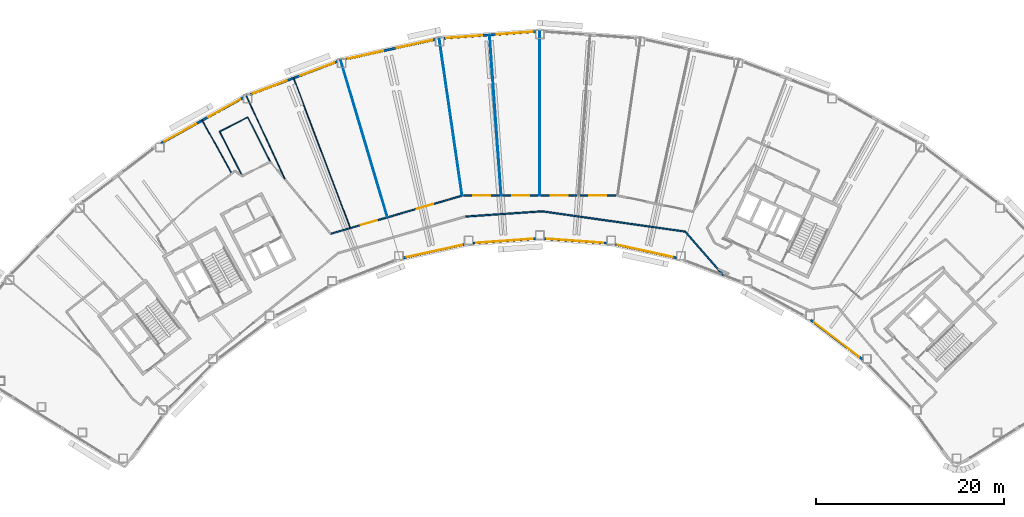
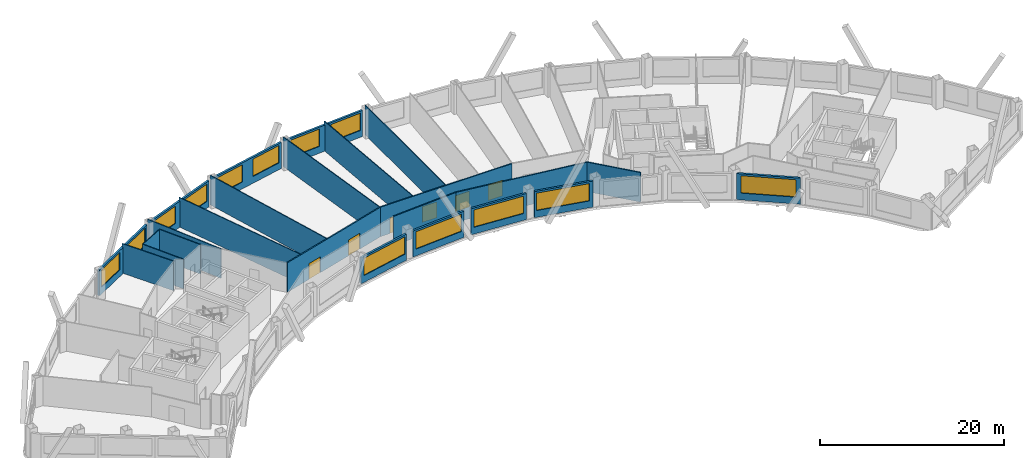
# One storey, part 7 of 14: 24 walls, 13 windows, 6 doors, 19 openings.
"""IFC4 building model written with IfcOpenShell, lengths in metres."""

from ifc_helpers import new_model, si_unit, direction, frame, frame_2d, origin, place, context, subcontext, project, spatial, rectangle, extrude, material, layer, layer_set, type_object, element, fill, save


model = new_model("IFC4")

# Units and contexts
model_context = context("Model", 3, precision=1e-05, world=origin(), true_north=direction((0.0, 1.0)))
body_context = subcontext(model_context, "Body", "Model", "MODEL_VIEW")
ifc_project = project(units=[si_unit("LENGTHUNIT", "METRE"), si_unit("AREAUNIT", "SQUARE_METRE"), si_unit("VOLUMEUNIT", "CUBIC_METRE"), si_unit("PLANEANGLEUNIT", "RADIAN"), si_unit("MASSUNIT", "GRAM", prefix="KILO")], contexts=[model_context])

# Site, building, storey
site_placement = place(None, origin())
site = spatial("IfcSite", under=ifc_project, at=site_placement, CompositionType="ELEMENT")
building_placement = place(site_placement, origin())
building = spatial("IfcBuilding", under=site, at=building_placement, Name="Tuul Gate Civic Tower", CompositionType="ELEMENT")
storey_placement = place(building_placement, frame((0.0, 0.0, 209.5)))
storey = spatial("IfcBuildingStorey", under=building, at=storey_placement, Name="Level 47", CompositionType="ELEMENT", Elevation=209.5)

# Wall, openings, doors
ifc_material_1 = material(Name="Gypsum board partition")
ifc_layer_1 = layer(ifc_material_1, 0.14990234375)
ifc_layer_set_1 = layer_set([ifc_layer_1], Name="Gypsum board partition")
wall_type_1 = type_object("IfcWallType", Name="Corridor wall P150", PredefinedType="PARTITIONING", material=ifc_layer_set_1)
wall_1_placement = place(storey_placement, frame((-2.283203125, 1.4267578125, 0.0), z_axis=(0.0, 0.0, 1.0), x_axis=(1.0, 0.0, 0.0)))
wall_1 = element("IfcWall", 1, at=wall_1_placement, inside=storey, type_object=wall_type_1, Name="p031", PredefinedType="PARTITIONING", context=body_context, shape_type="SweptSolid", body=[
    extrude(rectangle(XDim=16.4423828125, YDim=0.14990234375, at=frame_2d((8.22119140625, 0.0))), origin(), (0.0, 0.0, 1.0), 3.89990234375),
])
opening_1_placement = place(wall_1_placement, frame((13.48828125, 0.0, 0.0)))
opening_1 = element("IfcOpeningElement", 2, at=opening_1_placement, cuts=wall_1, Name="Opening Q-D09", PredefinedType="OPENING", context=body_context, shape_type="SweptSolid", body=[
    extrude(rectangle(XDim=1.800048828125, YDim=2.10009765625, at=frame_2d((0.89990234375, 1.050048828125))), frame((0.0, 0.0849609375, 0.0), z_axis=(0.0, -1.0, 0.0), x_axis=(1.0, 0.0, 0.0)), (0.0, 0.0, 1.0), 0.169921875),
])
opening_2_placement = place(wall_1_placement, frame((9.378662109375, 0.0, 0.0)))
opening_2 = element("IfcOpeningElement", 3, at=opening_2_placement, cuts=wall_1, Name="Opening Q-D10", PredefinedType="OPENING", context=body_context, shape_type="SweptSolid", body=[
    extrude(rectangle(XDim=1.800048828125, YDim=2.10009765625, at=frame_2d((0.89990234375, 1.050048828125))), frame((0.0, 0.0849609375, 0.0), z_axis=(0.0, -1.0, 0.0), x_axis=(1.0, 0.0, 0.0)), (0.0, 0.0, 1.0), 0.169921875),
])
opening_3_placement = place(wall_1_placement, frame((5.267333984375, 0.0, 0.0)))
opening_3 = element("IfcOpeningElement", 4, at=opening_3_placement, cuts=wall_1, Name="Opening Q-D11", PredefinedType="OPENING", context=body_context, shape_type="SweptSolid", body=[
    extrude(rectangle(XDim=1.800048828125, YDim=2.10009765625, at=frame_2d((0.89990234375, 1.050048828125))), frame((0.0, 0.0849609375, 0.0), z_axis=(0.0, -1.0, 0.0), x_axis=(1.0, 0.0, 0.0)), (0.0, 0.0, 1.0), 0.169921875),
])
opening_4_placement = place(wall_1_placement, frame((1.15576171875, 0.0, 0.0)))
opening_4 = element("IfcOpeningElement", 5, at=opening_4_placement, cuts=wall_1, Name="Opening Q-D12", PredefinedType="OPENING", context=body_context, shape_type="SweptSolid", body=[
    extrude(rectangle(XDim=1.800048828125, YDim=2.10009765625, at=frame_2d((0.89990234375, 1.050048828125))), frame((0.0, 0.0849609375, 0.0), z_axis=(0.0, -1.0, 0.0), x_axis=(1.0, 0.0, 0.0)), (0.0, 0.0, 1.0), 0.169921875),
])
ifc_material_2 = material(Name="Timber door leaf, double", Category="wood")
door_type = type_object("IfcDoorType", Name="Door D18", OperationType="DOUBLE_DOOR_SINGLE_SWING", PredefinedType="DOOR", material=ifc_material_2)
door_1_placement = place(opening_1_placement, origin())
door_1 = element("IfcDoor", 6, at=door_1_placement, inside=storey, type_object=door_type, Name="Door Q-D09", OperationType="DOUBLE_DOOR_SINGLE_SWING", OverallHeight=2.10009765625, OverallWidth=1.800048828125, PredefinedType="DOOR", context=body_context, shape_type="SweptSolid", body=[
    extrude(rectangle(XDim=1.800048828125, YDim=2.10009765625, at=frame_2d((0.89990234375, 1.050048828125))), frame((0.0, 0.02490234375, 0.0), z_axis=(0.0, -1.0, 0.0), x_axis=(1.0, 0.0, 0.0)), (0.0, 0.0, 1.0), 0.050048828125),
])
fill(opening_1, door_1)
door_2_placement = place(opening_2_placement, origin())
door_2 = element("IfcDoor", 7, at=door_2_placement, inside=storey, type_object=door_type, Name="Door Q-D10", OperationType="DOUBLE_DOOR_SINGLE_SWING", OverallHeight=2.10009765625, OverallWidth=1.800048828125, PredefinedType="DOOR", context=body_context, shape_type="SweptSolid", body=[
    extrude(rectangle(XDim=1.800048828125, YDim=2.10009765625, at=frame_2d((0.89990234375, 1.050048828125))), frame((0.0, 0.02490234375, 0.0), z_axis=(0.0, -1.0, 0.0), x_axis=(1.0, 0.0, 0.0)), (0.0, 0.0, 1.0), 0.050048828125),
])
fill(opening_2, door_2)
door_3_placement = place(opening_3_placement, origin())
door_3 = element("IfcDoor", 8, at=door_3_placement, inside=storey, type_object=door_type, Name="Door Q-D11", OperationType="DOUBLE_DOOR_SINGLE_SWING", OverallHeight=2.10009765625, OverallWidth=1.800048828125, PredefinedType="DOOR", context=body_context, shape_type="SweptSolid", body=[
    extrude(rectangle(XDim=1.800048828125, YDim=2.10009765625, at=frame_2d((0.89990234375, 1.050048828125))), frame((0.0, 0.02490234375, 0.0), z_axis=(0.0, -1.0, 0.0), x_axis=(1.0, 0.0, 0.0)), (0.0, 0.0, 1.0), 0.050048828125),
])
fill(opening_3, door_3)
door_4_placement = place(opening_4_placement, origin())
door_4 = element("IfcDoor", 9, at=door_4_placement, inside=storey, type_object=door_type, Name="Door Q-D12", OperationType="DOUBLE_DOOR_SINGLE_SWING", OverallHeight=2.10009765625, OverallWidth=1.800048828125, PredefinedType="DOOR", context=body_context, shape_type="SweptSolid", body=[
    extrude(rectangle(XDim=1.800048828125, YDim=2.10009765625, at=frame_2d((0.89990234375, 1.050048828125))), frame((0.0, 0.02490234375, 0.0), z_axis=(0.0, -1.0, 0.0), x_axis=(1.0, 0.0, 0.0)), (0.0, 0.0, 1.0), 0.050048828125),
])
fill(opening_4, door_4)

wall_2_placement = place(storey_placement, frame((-16.287109375, -2.635986328125, 0.0), z_axis=(0.0, 0.0, 1.0), x_axis=(0.960394372792, 0.278644305001, 0.0)))
wall_2 = element("IfcWall", 10, at=wall_2_placement, inside=storey, type_object=wall_type_1, Name="p035", PredefinedType="PARTITIONING", context=body_context, shape_type="SweptSolid", body=[
    extrude(rectangle(XDim=14.580322265625, YDim=0.14990234375, at=frame_2d((7.2900390625, 0.0))), origin(), (0.0, 0.0, 1.0), 3.89990234375),
])
opening_5_placement = place(wall_2_placement, frame((9.506103515625, 0.0, 0.0)))
opening_5 = element("IfcOpeningElement", 11, at=opening_5_placement, cuts=wall_2, Name="Opening Q-D13", PredefinedType="OPENING", context=body_context, shape_type="SweptSolid", body=[
    extrude(rectangle(XDim=1.800048828125, YDim=2.10009765625, at=frame_2d((0.89990234375, 1.050048828125))), frame((0.0, 0.0849609375, 0.0), z_axis=(0.0, -1.0, 0.0), x_axis=(1.0, 0.0, 0.0)), (0.0, 0.0, 1.0), 0.169921875),
])
opening_6_placement = place(wall_2_placement, frame((3.315673828125, 0.0, 0.0)))
opening_6 = element("IfcOpeningElement", 12, at=opening_6_placement, cuts=wall_2, Name="Opening Q-D14", PredefinedType="OPENING", context=body_context, shape_type="SweptSolid", body=[
    extrude(rectangle(XDim=1.800048828125, YDim=2.10009765625, at=frame_2d((0.89990234375, 1.050048828125))), frame((0.0, 0.0849609375, 0.0), z_axis=(0.0, -1.0, 0.0), x_axis=(1.0, 0.0, 0.0)), (0.0, 0.0, 1.0), 0.169921875),
])
door_5_placement = place(opening_5_placement, origin())
door_5 = element("IfcDoor", 13, at=door_5_placement, inside=storey, type_object=door_type, Name="Door Q-D13", OperationType="DOUBLE_DOOR_SINGLE_SWING", OverallHeight=2.10009765625, OverallWidth=1.800048828125, PredefinedType="DOOR", context=body_context, shape_type="SweptSolid", body=[
    extrude(rectangle(XDim=1.800048828125, YDim=2.10009765625, at=frame_2d((0.89990234375, 1.050048828125))), frame((0.0, 0.02490234375, 0.0), z_axis=(0.0, -1.0, 0.0), x_axis=(1.0, 0.0, 0.0)), (0.0, 0.0, 1.0), 0.050048828125),
])
fill(opening_5, door_5)
door_6_placement = place(opening_6_placement, origin())
door_6 = element("IfcDoor", 14, at=door_6_placement, inside=storey, type_object=door_type, Name="Door Q-D14", OperationType="DOUBLE_DOOR_SINGLE_SWING", OverallHeight=2.10009765625, OverallWidth=1.800048828125, PredefinedType="DOOR", context=body_context, shape_type="SweptSolid", body=[
    extrude(rectangle(XDim=1.800048828125, YDim=2.10009765625, at=frame_2d((0.89990234375, 1.050048828125))), frame((0.0, 0.02490234375, 0.0), z_axis=(0.0, -1.0, 0.0), x_axis=(1.0, 0.0, 0.0)), (0.0, 0.0, 1.0), 0.050048828125),
])
fill(opening_6, door_6)

# Walls
wall_3_placement = place(storey_placement, frame((-1.958740234375, -0.806396484375, 0.0), z_axis=(0.0, 0.0, 1.0), x_axis=(0.997683784998, 0.068022534144, 0.0)))
element("IfcWall", 15, at=wall_3_placement, inside=storey, type_object=wall_type_1, Name="p068", PredefinedType="PARTITIONING", context=body_context, shape_type="SweptSolid", body=[
    extrude(rectangle(XDim=8.157958984375, YDim=0.14990234375, at=frame_2d((4.0791015625, 0.0))), origin(), (0.0, 0.0, 1.0), 3.89990234375),
])
wall_4_placement = place(storey_placement, frame((6.1845703125, -0.251708984375, 0.0), z_axis=(0.0, 0.0, 1.0), x_axis=(0.990098741202, -0.140372656418, 0.0)))
element("IfcWall", 16, at=wall_4_placement, inside=storey, type_object=wall_type_1, Name="p069", PredefinedType="PARTITIONING", context=body_context, shape_type="SweptSolid", body=[
    extrude(rectangle(XDim=15.352294921875, YDim=0.14990234375, at=frame_2d((7.67626953125, 0.0))), origin(), (0.0, 0.0, 1.0), 3.89990234375),
])
wall_5_placement = place(storey_placement, frame((21.397216796875, -2.413330078125, 0.0), z_axis=(0.0, 0.0, 1.0), x_axis=(0.658152142451, -0.752884956276, 0.0)))
element("IfcWall", 17, at=wall_5_placement, inside=storey, type_object=wall_type_1, Name="p070", PredefinedType="PARTITIONING", context=body_context, shape_type="SweptSolid", body=[
    extrude(rectangle(XDim=6.131103515625, YDim=0.14990234375, at=frame_2d((3.0654296875, 0.0))), origin(), (0.0, 0.0, 1.0), 3.89990234375),
])

# Wall, openings, windows
ifc_material_3 = material(Name="Precast concrete C40/50", Category="concrete")
ifc_layer_2 = layer(ifc_material_3, 0.25)
ifc_layer_set_2 = layer_set([ifc_layer_2], Name="Precast concrete C40/50")
wall_type_2 = type_object("IfcWallType", Name="External wall", PredefinedType="STANDARD", material=ifc_layer_set_2)
wall_6_placement = place(storey_placement, frame((5.489990234375, 18.859130859375, 0.0), z_axis=(0.0, 0.0, 1.0), x_axis=(-0.997381037504, -0.07232610889, 0.0)))
wall_6 = element("IfcWall", 18, at=wall_6_placement, inside=storey, type_object=wall_type_2, Name="External wall", PredefinedType="STANDARD", context=body_context, shape_type="SweptSolid", body=[
    extrude(rectangle(XDim=9.775634765625, YDim=0.25, at=frame_2d((4.8876953125, 0.0))), origin(), (0.0, 0.0, 1.0), 3.449951171875),
])
opening_7_placement = place(wall_6_placement, frame((0.300537109375, 0.0, 0.89990234375)))
opening_7 = element("IfcOpeningElement", 19, at=opening_7_placement, cuts=wall_6, Name="Opening W22", PredefinedType="OPENING", context=body_context, shape_type="SweptSolid", body=[
    extrude(rectangle(XDim=3.85009765625, YDim=2.300048828125, at=frame_2d((1.925048828125, 1.14990234375))), frame((0.0, 0.135009765625, 0.0), z_axis=(0.0, -1.0, 0.0), x_axis=(1.0, 0.0, 0.0)), (0.0, 0.0, 1.0), 0.27001953125),
])
opening_8_placement = place(wall_6_placement, frame((5.672119140625, 0.0, 0.89990234375)))
opening_8 = element("IfcOpeningElement", 20, at=opening_8_placement, cuts=wall_6, Name="Opening W22", PredefinedType="OPENING", context=body_context, shape_type="SweptSolid", body=[
    extrude(rectangle(XDim=3.85009765625, YDim=2.300048828125, at=frame_2d((1.925048828125, 1.14990234375))), frame((0.0, 0.135009765625, 0.0), z_axis=(0.0, -1.0, 0.0), x_axis=(1.0, 0.0, 0.0)), (0.0, 0.0, 1.0), 0.27001953125),
])
ifc_material_4 = material(Name="Glass", Category="glass")
window_type_1 = type_object("IfcWindowType", Name="Window W22 3850 x 2300", PartitioningType="SINGLE_PANEL", PredefinedType="WINDOW", material=ifc_material_4)
window_1_placement = place(opening_7_placement, origin())
window_1 = element("IfcWindow", 21, at=window_1_placement, inside=storey, type_object=window_type_1, Name="Window", OverallHeight=2.300048828125, OverallWidth=3.85009765625, PartitioningType="SINGLE_PANEL", PredefinedType="WINDOW", context=body_context, shape_type="SweptSolid", body=[
    extrude(rectangle(XDim=3.85009765625, YDim=2.300048828125, at=frame_2d((1.925048828125, 1.14990234375))), frame((0.0, 0.030029296875, 0.0), z_axis=(0.0, -1.0, 0.0), x_axis=(1.0, 0.0, 0.0)), (0.0, 0.0, 1.0), 0.06005859375),
])
fill(opening_7, window_1)
window_2_placement = place(opening_8_placement, origin())
window_2 = element("IfcWindow", 22, at=window_2_placement, inside=storey, type_object=window_type_1, Name="Window", OverallHeight=2.300048828125, OverallWidth=3.85009765625, PartitioningType="SINGLE_PANEL", PredefinedType="WINDOW", context=body_context, shape_type="SweptSolid", body=[
    extrude(rectangle(XDim=3.85009765625, YDim=2.300048828125, at=frame_2d((1.925048828125, 1.14990234375))), frame((0.0, 0.030029296875, 0.0), z_axis=(0.0, -1.0, 0.0), x_axis=(1.0, 0.0, 0.0)), (0.0, 0.0, 1.0), 0.06005859375),
])
fill(opening_8, window_2)

wall_7_placement = place(storey_placement, frame((-5.159912109375, 18.027099609375, 0.0), z_axis=(0.0, 0.0, 1.0), x_axis=(-0.976565945411, -0.215218387375, 0.0)))
wall_7 = element("IfcWall", 23, at=wall_7_placement, inside=storey, type_object=wall_type_2, Name="External wall", PredefinedType="STANDARD", context=body_context, shape_type="SweptSolid", body=[
    extrude(rectangle(XDim=9.755615234375, YDim=0.25, at=frame_2d((4.8779296875, 0.0))), origin(), (0.0, 0.0, 1.0), 3.449951171875),
])
opening_9_placement = place(wall_7_placement, frame((0.3388671875, 0.0, 0.89990234375)))
opening_9 = element("IfcOpeningElement", 24, at=opening_9_placement, cuts=wall_7, Name="Opening W22", PredefinedType="OPENING", context=body_context, shape_type="SweptSolid", body=[
    extrude(rectangle(XDim=3.85009765625, YDim=2.300048828125, at=frame_2d((1.925048828125, 1.14990234375))), frame((0.0, 0.135009765625, 0.0), z_axis=(0.0, -1.0, 0.0), x_axis=(1.0, 0.0, 0.0)), (0.0, 0.0, 1.0), 0.27001953125),
])
opening_10_placement = place(wall_7_placement, frame((5.710205078125, 0.0, 0.89990234375)))
opening_10 = element("IfcOpeningElement", 25, at=opening_10_placement, cuts=wall_7, Name="Opening W22", PredefinedType="OPENING", context=body_context, shape_type="SweptSolid", body=[
    extrude(rectangle(XDim=3.85009765625, YDim=2.300048828125, at=frame_2d((1.925048828125, 1.14990234375))), frame((0.0, 0.135009765625, 0.0), z_axis=(0.0, -1.0, 0.0), x_axis=(1.0, 0.0, 0.0)), (0.0, 0.0, 1.0), 0.27001953125),
])
window_3_placement = place(opening_9_placement, origin())
window_3 = element("IfcWindow", 26, at=window_3_placement, inside=storey, type_object=window_type_1, Name="Window", OverallHeight=2.300048828125, OverallWidth=3.85009765625, PartitioningType="SINGLE_PANEL", PredefinedType="WINDOW", context=body_context, shape_type="SweptSolid", body=[
    extrude(rectangle(XDim=3.85009765625, YDim=2.300048828125, at=frame_2d((1.925048828125, 1.14990234375))), frame((0.0, 0.030029296875, 0.0), z_axis=(0.0, -1.0, 0.0), x_axis=(1.0, 0.0, 0.0)), (0.0, 0.0, 1.0), 0.06005859375),
])
fill(opening_9, window_3)
window_4_placement = place(opening_10_placement, origin())
window_4 = element("IfcWindow", 27, at=window_4_placement, inside=storey, type_object=window_type_1, Name="Window", OverallHeight=2.300048828125, OverallWidth=3.85009765625, PartitioningType="SINGLE_PANEL", PredefinedType="WINDOW", context=body_context, shape_type="SweptSolid", body=[
    extrude(rectangle(XDim=3.85009765625, YDim=2.300048828125, at=frame_2d((1.925048828125, 1.14990234375))), frame((0.0, 0.030029296875, 0.0), z_axis=(0.0, -1.0, 0.0), x_axis=(1.0, 0.0, 0.0)), (0.0, 0.0, 1.0), 0.06005859375),
])
fill(opening_10, window_4)

wall_8_placement = place(storey_placement, frame((-15.5869140625, 15.673095703125, 0.0), z_axis=(0.0, 0.0, 1.0), x_axis=(-0.935372856453, -0.353663143981, 0.0)))
wall_8 = element("IfcWall", 28, at=wall_8_placement, inside=storey, type_object=wall_type_2, Name="External wall", PredefinedType="STANDARD", context=body_context, shape_type="SweptSolid", body=[
    extrude(rectangle(XDim=9.908203125, YDim=0.25, at=frame_2d((4.9541015625, 0.0))), origin(), (0.0, 0.0, 1.0), 3.449951171875),
])
opening_11_placement = place(wall_8_placement, frame((0.3701171875, 0.0, 0.89990234375)))
opening_11 = element("IfcOpeningElement", 29, at=opening_11_placement, cuts=wall_8, Name="Opening W22", PredefinedType="OPENING", context=body_context, shape_type="SweptSolid", body=[
    extrude(rectangle(XDim=3.85009765625, YDim=2.300048828125, at=frame_2d((1.925048828125, 1.14990234375))), frame((0.0, 0.135009765625, 0.0), z_axis=(0.0, -1.0, 0.0), x_axis=(1.0, 0.0, 0.0)), (0.0, 0.0, 1.0), 0.27001953125),
])
opening_12_placement = place(wall_8_placement, frame((5.7412109375, 0.0, 0.89990234375)))
opening_12 = element("IfcOpeningElement", 30, at=opening_12_placement, cuts=wall_8, Name="Opening W22", PredefinedType="OPENING", context=body_context, shape_type="SweptSolid", body=[
    extrude(rectangle(XDim=3.85009765625, YDim=2.300048828125, at=frame_2d((1.925048828125, 1.14990234375))), frame((0.0, 0.135009765625, 0.0), z_axis=(0.0, -1.0, 0.0), x_axis=(1.0, 0.0, 0.0)), (0.0, 0.0, 1.0), 0.27001953125),
])
window_5_placement = place(opening_11_placement, origin())
window_5 = element("IfcWindow", 31, at=window_5_placement, inside=storey, type_object=window_type_1, Name="Window", OverallHeight=2.300048828125, OverallWidth=3.85009765625, PartitioningType="SINGLE_PANEL", PredefinedType="WINDOW", context=body_context, shape_type="SweptSolid", body=[
    extrude(rectangle(XDim=3.85009765625, YDim=2.300048828125, at=frame_2d((1.925048828125, 1.14990234375))), frame((0.0, 0.030029296875, 0.0), z_axis=(0.0, -1.0, 0.0), x_axis=(1.0, 0.0, 0.0)), (0.0, 0.0, 1.0), 0.06005859375),
])
fill(opening_11, window_5)
window_6_placement = place(opening_12_placement, origin())
window_6 = element("IfcWindow", 32, at=window_6_placement, inside=storey, type_object=window_type_1, Name="Window", OverallHeight=2.300048828125, OverallWidth=3.85009765625, PartitioningType="SINGLE_PANEL", PredefinedType="WINDOW", context=body_context, shape_type="SweptSolid", body=[
    extrude(rectangle(XDim=3.85009765625, YDim=2.300048828125, at=frame_2d((1.925048828125, 1.14990234375))), frame((0.0, 0.030029296875, 0.0), z_axis=(0.0, -1.0, 0.0), x_axis=(1.0, 0.0, 0.0)), (0.0, 0.0, 1.0), 0.06005859375),
])
fill(opening_12, window_6)

wall_9_placement = place(storey_placement, frame((-25.573974609375, 11.842041015625, 0.0), z_axis=(0.0, 0.0, 1.0), x_axis=(-0.87460251425, -0.484840635743, 0.0)))
wall_9 = element("IfcWall", 33, at=wall_9_placement, inside=storey, type_object=wall_type_2, Name="External wall", PredefinedType="STANDARD", context=body_context, shape_type="SweptSolid", body=[
    extrude(rectangle(XDim=10.00146484375, YDim=0.25, at=frame_2d((5.000732421875, 0.0))), origin(), (0.0, 0.0, 1.0), 3.449951171875),
])
opening_13_placement = place(wall_9_placement, frame((0.393798828125, 0.0, 0.89990234375)))
opening_13 = element("IfcOpeningElement", 34, at=opening_13_placement, cuts=wall_9, Name="Opening W22", PredefinedType="OPENING", context=body_context, shape_type="SweptSolid", body=[
    extrude(rectangle(XDim=3.85009765625, YDim=2.300048828125, at=frame_2d((1.925048828125, 1.14990234375))), frame((0.0, 0.135009765625, 0.0), z_axis=(0.0, -1.0, 0.0), x_axis=(1.0, 0.0, 0.0)), (0.0, 0.0, 1.0), 0.27001953125),
])
opening_14_placement = place(wall_9_placement, frame((5.764892578125, 0.0, 0.89990234375)))
opening_14 = element("IfcOpeningElement", 35, at=opening_14_placement, cuts=wall_9, Name="Opening W22", PredefinedType="OPENING", context=body_context, shape_type="SweptSolid", body=[
    extrude(rectangle(XDim=3.85009765625, YDim=2.300048828125, at=frame_2d((1.925048828125, 1.14990234375))), frame((0.0, 0.135009765625, 0.0), z_axis=(0.0, -1.0, 0.0), x_axis=(1.0, 0.0, 0.0)), (0.0, 0.0, 1.0), 0.27001953125),
])
window_7_placement = place(opening_13_placement, origin())
window_7 = element("IfcWindow", 36, at=window_7_placement, inside=storey, type_object=window_type_1, Name="Window", OverallHeight=2.300048828125, OverallWidth=3.85009765625, PartitioningType="SINGLE_PANEL", PredefinedType="WINDOW", context=body_context, shape_type="SweptSolid", body=[
    extrude(rectangle(XDim=3.85009765625, YDim=2.300048828125, at=frame_2d((1.925048828125, 1.14990234375))), frame((0.0, 0.030029296875, 0.0), z_axis=(0.0, -1.0, 0.0), x_axis=(1.0, 0.0, 0.0)), (0.0, 0.0, 1.0), 0.06005859375),
])
fill(opening_13, window_7)
window_8_placement = place(opening_14_placement, origin())
window_8 = element("IfcWindow", 37, at=window_8_placement, inside=storey, type_object=window_type_1, Name="Window", OverallHeight=2.300048828125, OverallWidth=3.85009765625, PartitioningType="SINGLE_PANEL", PredefinedType="WINDOW", context=body_context, shape_type="SweptSolid", body=[
    extrude(rectangle(XDim=3.85009765625, YDim=2.300048828125, at=frame_2d((1.925048828125, 1.14990234375))), frame((0.0, 0.030029296875, 0.0), z_axis=(0.0, -1.0, 0.0), x_axis=(1.0, 0.0, 0.0)), (0.0, 0.0, 1.0), 0.06005859375),
])
fill(opening_14, window_8)

# Wall, opening, window
wall_10_placement = place(storey_placement, frame((-8.595947265625, -5.206298828125, 0.0), z_axis=(0.0, 0.0, 1.0), x_axis=(0.976558520258, 0.21525207667, 0.0)))
wall_10 = element("IfcWall", 38, at=wall_10_placement, inside=storey, type_object=wall_type_2, Name="External wall", PredefinedType="STANDARD", context=body_context, shape_type="SweptSolid", body=[
    extrude(rectangle(XDim=6.670166015625, YDim=0.25, at=frame_2d((3.3349609375, 0.0))), origin(), (0.0, 0.0, 1.0), 3.449951171875),
])
opening_15_placement = place(wall_10_placement, frame((0.406982421875, 0.0, 0.89990234375)))
opening_15 = element("IfcOpeningElement", 39, at=opening_15_placement, cuts=wall_10, Name="Opening W26", PredefinedType="OPENING", context=body_context, shape_type="SweptSolid", body=[
    extrude(rectangle(XDim=6.0, YDim=2.300048828125, at=frame_2d((3.0, 1.14990234375))), frame((0.0, 0.135009765625, 0.0), z_axis=(0.0, -1.0, 0.0), x_axis=(1.0, 0.0, 0.0)), (0.0, 0.0, 1.0), 0.27001953125),
])
ifc_material_5 = material(Name="Glass", Category="glass")
window_type_2 = type_object("IfcWindowType", Name="Window W26 6000 x 2300", PartitioningType="SINGLE_PANEL", PredefinedType="WINDOW", material=ifc_material_5)
window_9_placement = place(opening_15_placement, origin())
window_9 = element("IfcWindow", 40, at=window_9_placement, inside=storey, type_object=window_type_2, Name="Window", OverallHeight=2.300048828125, OverallWidth=6.0, PartitioningType="SINGLE_PANEL", PredefinedType="WINDOW", context=body_context, shape_type="SweptSolid", body=[
    extrude(rectangle(XDim=6.0, YDim=2.300048828125, at=frame_2d((3.0, 1.14990234375))), frame((0.0, 0.030029296875, 0.0), z_axis=(0.0, -1.0, 0.0), x_axis=(1.0, 0.0, 0.0)), (0.0, 0.0, 1.0), 0.06005859375),
])
fill(opening_15, window_9)

wall_11_placement = place(storey_placement, frame((-1.181884765625, -3.6318359375, 0.0), z_axis=(0.0, 0.0, 1.0), x_axis=(0.997393444125, 0.072154817002, 0.0)))
wall_11 = element("IfcWall", 41, at=wall_11_placement, inside=storey, type_object=wall_type_2, Name="External wall", PredefinedType="STANDARD", context=body_context, shape_type="SweptSolid", body=[
    extrude(rectangle(XDim=6.689208984375, YDim=0.25, at=frame_2d((3.3447265625, 0.0))), origin(), (0.0, 0.0, 1.0), 3.449951171875),
])
opening_16_placement = place(wall_11_placement, frame((0.3681640625, 0.0, 0.89990234375)))
opening_16 = element("IfcOpeningElement", 42, at=opening_16_placement, cuts=wall_11, Name="Opening W26", PredefinedType="OPENING", context=body_context, shape_type="SweptSolid", body=[
    extrude(rectangle(XDim=6.0, YDim=2.300048828125, at=frame_2d((3.0, 1.14990234375))), frame((0.0, 0.135009765625, 0.0), z_axis=(0.0, -1.0, 0.0), x_axis=(1.0, 0.0, 0.0)), (0.0, 0.0, 1.0), 0.27001953125),
])
window_10_placement = place(opening_16_placement, origin())
window_10 = element("IfcWindow", 43, at=window_10_placement, inside=storey, type_object=window_type_2, Name="Window", OverallHeight=2.300048828125, OverallWidth=6.0, PartitioningType="SINGLE_PANEL", PredefinedType="WINDOW", context=body_context, shape_type="SweptSolid", body=[
    extrude(rectangle(XDim=6.0, YDim=2.300048828125, at=frame_2d((3.0, 1.14990234375))), frame((0.0, 0.030029296875, 0.0), z_axis=(0.0, -1.0, 0.0), x_axis=(1.0, 0.0, 0.0)), (0.0, 0.0, 1.0), 0.06005859375),
])
fill(opening_16, window_10)

wall_12_placement = place(storey_placement, frame((6.389892578125, -3.149169921875, 0.0), z_axis=(0.0, 0.0, 1.0), x_axis=(0.99739363413, -0.072152190518, 0.0)))
wall_12 = element("IfcWall", 44, at=wall_12_placement, inside=storey, type_object=wall_type_2, Name="External wall", PredefinedType="STANDARD", context=body_context, shape_type="SweptSolid", body=[
    extrude(rectangle(XDim=6.689453125, YDim=0.25, at=frame_2d((3.3447265625, 0.0))), origin(), (0.0, 0.0, 1.0), 3.449951171875),
])
opening_17_placement = place(wall_12_placement, frame((0.3212890625, 0.0, 0.89990234375)))
opening_17 = element("IfcOpeningElement", 45, at=opening_17_placement, cuts=wall_12, Name="Opening W26", PredefinedType="OPENING", context=body_context, shape_type="SweptSolid", body=[
    extrude(rectangle(XDim=6.0, YDim=2.300048828125, at=frame_2d((3.0, 1.14990234375))), frame((0.0, 0.135009765625, 0.0), z_axis=(0.0, -1.0, 0.0), x_axis=(1.0, 0.0, 0.0)), (0.0, 0.0, 1.0), 0.27001953125),
])
window_11_placement = place(opening_17_placement, origin())
window_11 = element("IfcWindow", 46, at=window_11_placement, inside=storey, type_object=window_type_2, Name="Window", OverallHeight=2.300048828125, OverallWidth=6.0, PartitioningType="SINGLE_PANEL", PredefinedType="WINDOW", context=body_context, shape_type="SweptSolid", body=[
    extrude(rectangle(XDim=6.0, YDim=2.300048828125, at=frame_2d((3.0, 1.14990234375))), frame((0.0, 0.030029296875, 0.0), z_axis=(0.0, -1.0, 0.0), x_axis=(1.0, 0.0, 0.0)), (0.0, 0.0, 1.0), 0.06005859375),
])
fill(opening_17, window_11)

wall_13_placement = place(storey_placement, frame((13.9619140625, -3.7705078125, 0.0), z_axis=(0.0, 0.0, 1.0), x_axis=(0.976561126712, -0.215240251333, 0.0)))
wall_13 = element("IfcWall", 47, at=wall_13_placement, inside=storey, type_object=wall_type_2, Name="External wall", PredefinedType="STANDARD", context=body_context, shape_type="SweptSolid", body=[
    extrude(rectangle(XDim=6.66943359375, YDim=0.25, at=frame_2d((3.334716796875, 0.0))), origin(), (0.0, 0.0, 1.0), 3.449951171875),
])
opening_18_placement = place(wall_13_placement, frame((0.263427734375, 0.0, 0.89990234375)))
opening_18 = element("IfcOpeningElement", 48, at=opening_18_placement, cuts=wall_13, Name="Opening W26", PredefinedType="OPENING", context=body_context, shape_type="SweptSolid", body=[
    extrude(rectangle(XDim=6.0, YDim=2.300048828125, at=frame_2d((3.0, 1.14990234375))), frame((0.0, 0.135009765625, 0.0), z_axis=(0.0, -1.0, 0.0), x_axis=(1.0, 0.0, 0.0)), (0.0, 0.0, 1.0), 0.27001953125),
])
window_12_placement = place(opening_18_placement, origin())
window_12 = element("IfcWindow", 49, at=window_12_placement, inside=storey, type_object=window_type_2, Name="Window", OverallHeight=2.300048828125, OverallWidth=6.0, PartitioningType="SINGLE_PANEL", PredefinedType="WINDOW", context=body_context, shape_type="SweptSolid", body=[
    extrude(rectangle(XDim=6.0, YDim=2.300048828125, at=frame_2d((3.0, 1.14990234375))), frame((0.0, 0.030029296875, 0.0), z_axis=(0.0, -1.0, 0.0), x_axis=(1.0, 0.0, 0.0)), (0.0, 0.0, 1.0), 0.06005859375),
])
fill(opening_18, window_12)

wall_14_placement = place(storey_placement, frame((34.72216796875, -11.7890625, 0.0), z_axis=(0.0, 0.0, 1.0), x_axis=(0.795585585463, -0.605841213688, 0.0)))
wall_14 = element("IfcWall", 50, at=wall_14_placement, inside=storey, type_object=wall_type_2, Name="External wall", PredefinedType="STANDARD", context=body_context, shape_type="SweptSolid", body=[
    extrude(rectangle(XDim=6.955810546875, YDim=0.25, at=frame_2d((3.47802734375, 0.0))), origin(), (0.0, 0.0, 1.0), 3.449951171875),
])
opening_19_placement = place(wall_14_placement, frame((0.478759765625, 0.0, 0.89990234375)))
opening_19 = element("IfcOpeningElement", 51, at=opening_19_placement, cuts=wall_14, Name="Opening W26", PredefinedType="OPENING", context=body_context, shape_type="SweptSolid", body=[
    extrude(rectangle(XDim=6.0, YDim=2.300048828125, at=frame_2d((3.0, 1.14990234375))), frame((0.0, 0.135009765625, 0.0), z_axis=(0.0, -1.0, 0.0), x_axis=(1.0, 0.0, 0.0)), (0.0, 0.0, 1.0), 0.27001953125),
])
window_13_placement = place(opening_19_placement, origin())
window_13 = element("IfcWindow", 52, at=window_13_placement, inside=storey, type_object=window_type_2, Name="Window", OverallHeight=2.300048828125, OverallWidth=6.0, PartitioningType="SINGLE_PANEL", PredefinedType="WINDOW", context=body_context, shape_type="SweptSolid", body=[
    extrude(rectangle(XDim=6.0, YDim=2.300048828125, at=frame_2d((3.0, 1.14990234375))), frame((0.0, 0.030029296875, 0.0), z_axis=(0.0, -1.0, 0.0), x_axis=(1.0, 0.0, 0.0)), (0.0, 0.0, 1.0), 0.06005859375),
])
fill(opening_19, window_13)

# Walls
ifc_material_6 = material(Name="Gypsum board partition")
ifc_layer_3 = layer(ifc_material_6, 0.10009765625)
ifc_layer_set_3 = layer_set([ifc_layer_3], Name="Gypsum board partition")
wall_type_3 = type_object("IfcWallType", Name="Partition P100", PredefinedType="PARTITIONING", material=ifc_layer_set_3)
wall_15_placement = place(storey_placement, frame((5.939697265625, 1.4267578125, 0.0), z_axis=(0.0, 0.0, 1.0), x_axis=(0.0, 1.0, 0.0)))
element("IfcWall", 53, at=wall_15_placement, inside=storey, type_object=wall_type_3, Name="p032", PredefinedType="PARTITIONING", context=body_context, shape_type="SweptSolid", body=[
    extrude(rectangle(XDim=17.469970703125, YDim=0.10009765625, at=frame_2d((8.73486328125, 0.0))), origin(), (0.0, 0.0, 1.0), 3.89990234375),
])
wall_16_placement = place(storey_placement, frame((0.591064453125, 18.5087890625, 0.0), z_axis=(0.0, 0.0, 1.0), x_axis=(0.072243844527, -0.997386999578, 0.0)))
element("IfcWall", 54, at=wall_16_placement, inside=storey, type_object=wall_type_3, Name="p033", PredefinedType="PARTITIONING", context=body_context, shape_type="SweptSolid", body=[
    extrude(rectangle(XDim=17.126708984375, YDim=0.10009765625, at=frame_2d((8.5634765625, 0.0))), origin(), (0.0, 0.0, 1.0), 3.89990234375),
])
wall_17_placement = place(storey_placement, frame((-4.75732421875, 18.12109375, 0.0), z_axis=(0.0, 0.0, 1.0), x_axis=(0.144107467167, -0.989562043485, 0.0)))
element("IfcWall", 55, at=wall_17_placement, inside=storey, type_object=wall_type_3, Name="p034", PredefinedType="PARTITIONING", context=body_context, shape_type="SweptSolid", body=[
    extrude(rectangle(XDim=16.88232421875, YDim=0.10009765625, at=frame_2d((8.441162109375, 0.0))), origin(), (0.0, 0.0, 1.0), 3.89990234375),
])
wall_18_placement = place(storey_placement, frame((-15.231201171875, 15.812744140625, 0.0), z_axis=(0.0, 0.0, 1.0), x_axis=(0.285206858577, -0.958465986783, 0.0)))
element("IfcWall", 56, at=wall_18_placement, inside=storey, type_object=wall_type_3, Name="p036", PredefinedType="PARTITIONING", context=body_context, shape_type="SweptSolid", body=[
    extrude(rectangle(XDim=17.424072265625, YDim=0.10009765625, at=frame_2d((8.7119140625, 0.0))), origin(), (0.0, 0.0, 1.0), 3.89990234375),
])
wall_19_placement = place(storey_placement, frame((-20.247314453125, 13.91650390625, 0.0), z_axis=(0.0, 0.0, 1.0), x_axis=(0.353715416435, -0.935353090643, 0.0)))
element("IfcWall", 57, at=wall_19_placement, inside=storey, type_object=wall_type_3, Name="p037", PredefinedType="PARTITIONING", context=body_context, shape_type="SweptSolid", body=[
    extrude(rectangle(XDim=17.053955078125, YDim=0.10009765625, at=frame_2d((8.52685546875, 0.0))), origin(), (0.0, 0.0, 1.0), 3.89990234375),
])
wall_20_placement = place(storey_placement, frame((-25.26318359375, 12.02001953125, 0.0), z_axis=(0.0, 0.0, 1.0), x_axis=(0.420335096622, -0.907368947313, 0.0)))
element("IfcWall", 58, at=wall_20_placement, inside=storey, type_object=wall_type_3, Name="p039", PredefinedType="PARTITIONING", context=body_context, shape_type="SweptSolid", body=[
    extrude(rectangle(XDim=9.73291015625, YDim=0.10009765625, at=frame_2d((4.866455078125, 0.0))), origin(), (0.0, 0.0, 1.0), 3.89990234375),
])
wall_21_placement = place(storey_placement, frame((-28.105712890625, 8.22412109375, 0.0), z_axis=(0.0, 0.0, 1.0), x_axis=(0.454006597205, -0.890998321937, 0.0)))
element("IfcWall", 59, at=wall_21_placement, inside=storey, type_object=wall_type_3, Name="p042", PredefinedType="PARTITIONING", context=body_context, shape_type="SweptSolid", body=[
    extrude(rectangle(XDim=5.294677734375, YDim=0.10009765625, at=frame_2d((2.6474609375, 0.0))), origin(), (0.0, 0.0, 1.0), 3.89990234375),
])
wall_22_placement = place(storey_placement, frame((-28.105712890625, 8.22412109375, 0.0), z_axis=(0.0, 0.0, 1.0), x_axis=(0.891003885201, 0.453995679007, 0.0)))
element("IfcWall", 60, at=wall_22_placement, inside=storey, type_object=wall_type_3, Name="p043", PredefinedType="PARTITIONING", context=body_context, shape_type="SweptSolid", body=[
    extrude(rectangle(XDim=3.3486328125, YDim=0.10009765625, at=frame_2d((1.67431640625, 0.0))), origin(), (0.0, 0.0, 1.0), 3.89990234375),
])
wall_23_placement = place(storey_placement, frame((-25.1220703125, 9.744384765625, 0.0), z_axis=(0.0, 0.0, 1.0), x_axis=(0.45400846815, -0.890997368598, 0.0)))
element("IfcWall", 61, at=wall_23_placement, inside=storey, type_object=wall_type_3, Name="p044", PredefinedType="PARTITIONING", context=body_context, shape_type="SweptSolid", body=[
    extrude(rectangle(XDim=5.3076171875, YDim=0.10009765625, at=frame_2d((2.65380859375, 0.0))), origin(), (0.0, 0.0, 1.0), 3.89990234375),
])
wall_24_placement = place(storey_placement, frame((-29.95361328125, 9.419921875, 0.0), z_axis=(0.0, 0.0, 1.0), x_axis=(0.484834619648, -0.874605849278, 0.0)))
element("IfcWall", 62, at=wall_24_placement, inside=storey, type_object=wall_type_3, Name="p049", PredefinedType="PARTITIONING", context=body_context, shape_type="SweptSolid", body=[
    extrude(rectangle(XDim=6.464111328125, YDim=0.10009765625, at=frame_2d((3.23193359375, 0.0))), origin(), (0.0, 0.0, 1.0), 3.89990234375),
])

save(model, "model.ifc")
